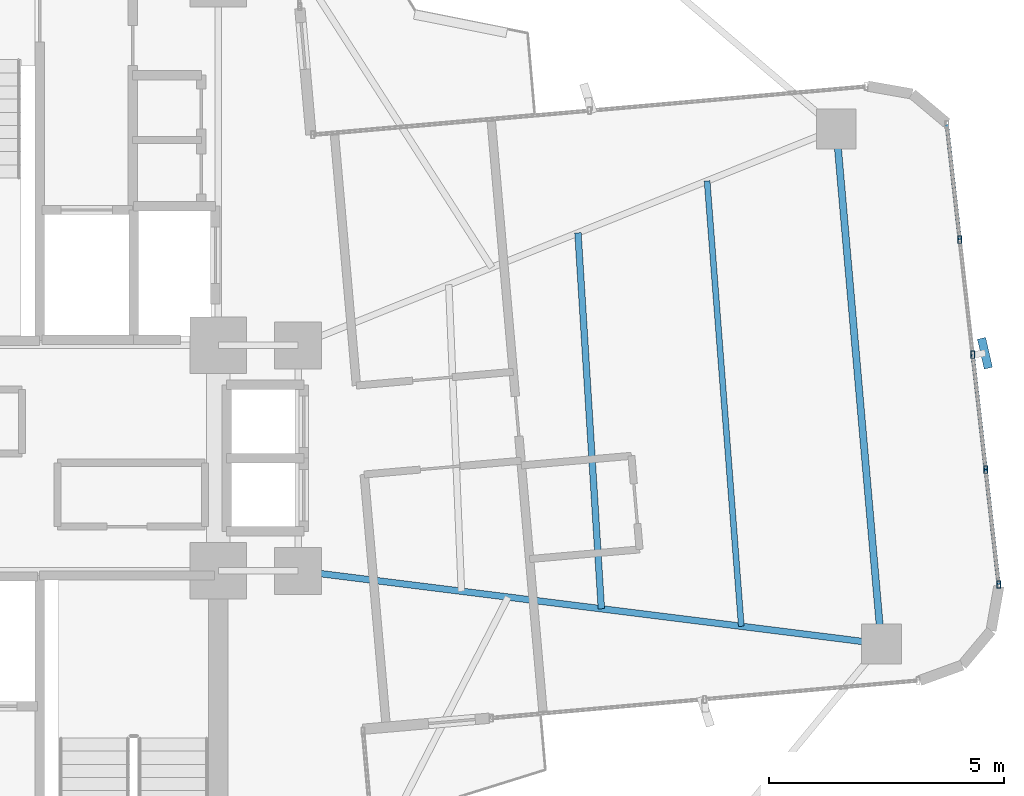
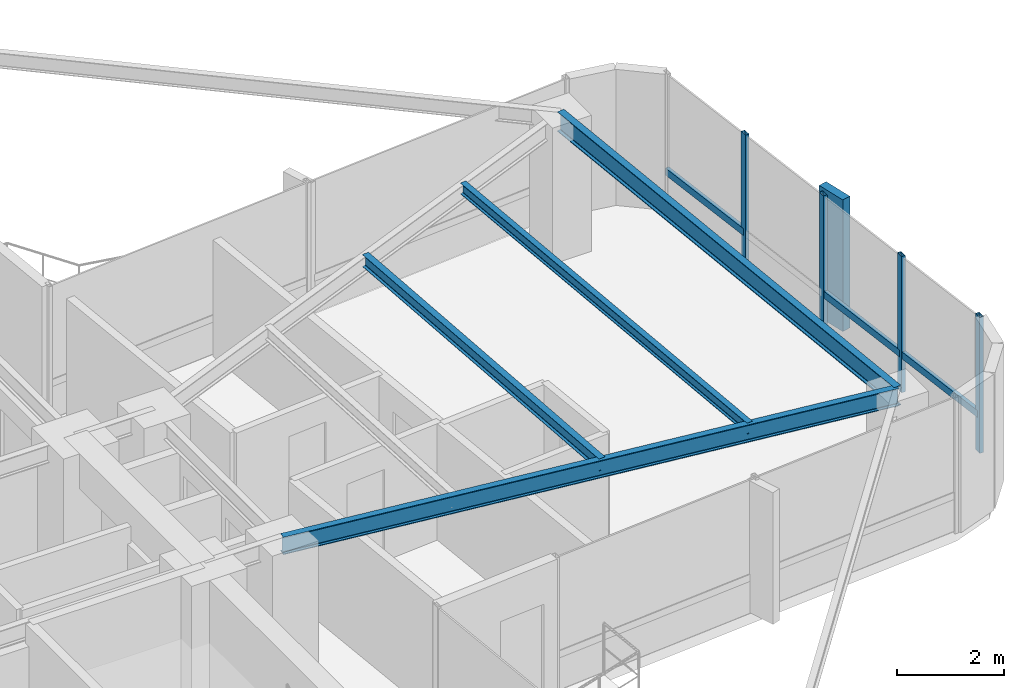
# One storey, part 14 of 24: 8 members, 4 beams, 1 element without a shape of its own.
"""IFC4 building model written with IfcOpenShell, lengths in metres."""

from ifc_helpers import new_model, si_unit, direction, frame, origin, origin_2d, place, context, subcontext, project, spatial, rectangle, hollow_rectangle, i_section, extrude, source, transform, mapped, material, material_profile, profile_set, type_object, element, aggregate, save


model = new_model("IFC4")

# Units and contexts
model_context = context("Model", 3, precision=1e-05, world=origin(), true_north=direction((0.0, 1.0)))
body_context = subcontext(model_context, "Body", "Model", "MODEL_VIEW")
ifc_project = project(units=[si_unit("LENGTHUNIT", "METRE"), si_unit("AREAUNIT", "SQUARE_METRE"), si_unit("VOLUMEUNIT", "CUBIC_METRE"), si_unit("PLANEANGLEUNIT", "RADIAN"), si_unit("MASSUNIT", "GRAM", prefix="KILO")], contexts=[model_context])

# Site, building, storey
site_placement = place(None, origin())
site = spatial("IfcSite", under=ifc_project, at=site_placement, CompositionType="ELEMENT")
building_placement = place(site_placement, origin())
building = spatial("IfcBuilding", under=site, at=building_placement, Name="Sahyath Konkavel Grand Hotel", CompositionType="ELEMENT")
storey_placement = place(building_placement, frame((0.0, 0.0, 195.300048828125)))
storey = spatial("IfcBuildingStorey", under=building, at=storey_placement, Name="L54", CompositionType="ELEMENT", Elevation=195.300048828125)

# Beams
ifc_material_1 = material(Name="Steel E350", Category="steel")
ifc_material_profile_1 = material_profile(ifc_material_1, i_section(OverallWidth=0.139892578125, OverallDepth=0.39990234375, WebThickness=0.0087890625, FlangeThickness=0.01611328125, FilletRadius=0.013916015625, at=origin_2d()), Name="ISMB 400")
ifc_profile_set_1 = profile_set([ifc_material_profile_1], Name="Steel E350")
beam_type_1 = type_object("IfcBeamType", Name="BM-ISMB400", PredefinedType="BEAM", material=ifc_profile_set_1)
shared_shape_1 = source(origin(), body_context, "Body", "SweptSolid", [
    extrude(i_section(OverallWidth=0.139892578125, OverallDepth=0.39990234375, WebThickness=0.0087890625, FlangeThickness=0.01611328125, FilletRadius=0.013916015625, at=origin_2d()), origin(), (0.0, 0.0, 1.0), 12.509765625),
])
beam_1_placement = place(storey_placement, frame((5.5, -2.39990234375, 2.909912109375), z_axis=(0.992254740459, -0.124219684578, 0.0), x_axis=(0.124219684578, 0.992254740459, 0.0)))
element("IfcBeam", 1, at=beam_1_placement, inside=storey, type_object=beam_type_1, Name="L54 Cruciform Radial Girder EA", PredefinedType="BEAM", context=body_context, shape_type="MappedRepresentation", body=[
    mapped(shared_shape_1, transform((0.0, 0.0, 0.0), scale=1.0)),
])
ifc_material_profile_2 = material_profile(ifc_material_1, i_section(OverallWidth=0.14990234375, OverallDepth=0.449951171875, WebThickness=0.009521484375, FlangeThickness=0.017333984375, FilletRadius=0.014892578125, at=origin_2d()), Name="ISMB 450")
ifc_profile_set_2 = profile_set([ifc_material_profile_2], Name="Steel E350")
beam_type_2 = type_object("IfcBeamType", Name="BM-ISMB450", PredefinedType="BEAM", material=ifc_profile_set_2)
shared_shape_2 = source(origin(), body_context, "Body", "SweptSolid", [
    extrude(i_section(OverallWidth=0.14990234375, OverallDepth=0.449951171875, WebThickness=0.009521484375, FlangeThickness=0.017333984375, FilletRadius=0.014892578125, at=origin_2d()), origin(), (0.0, 0.0, 1.0), 11.0),
])
beam_2_placement = place(storey_placement, frame((17.912841796875, -3.953857421875, 2.885009765625), z_axis=(-0.087157314015, 0.996194560622, 0.0), x_axis=(-0.996194560622, -0.087157314015, 0.0)))
element("IfcBeam", 2, at=beam_2_placement, inside=storey, type_object=beam_type_2, Name="L54 Wing Tip Edge Beam E", PredefinedType="BEAM", context=body_context, shape_type="MappedRepresentation", body=[
    mapped(shared_shape_2, transform((0.0, 0.0, 0.0), scale=1.0)),
])
ifc_material_profile_3 = material_profile(ifc_material_1, i_section(OverallWidth=0.139892578125, OverallDepth=0.27490234375, WebThickness=0.00634765625, FlangeThickness=0.0087890625, FilletRadius=0.012939453125, at=origin_2d()), Name="ISLB 275")
ifc_profile_set_3 = profile_set([ifc_material_profile_3], Name="Steel E350")
beam_type_3 = type_object("IfcBeamType", Name="BM-ISLB275", PredefinedType="BEAM", material=ifc_profile_set_3)
shared_shape_3 = source(origin(), body_context, "Body", "SweptSolid", [
    extrude(i_section(OverallWidth=0.139892578125, OverallDepth=0.27490234375, WebThickness=0.00634765625, FlangeThickness=0.0087890625, FilletRadius=0.012939453125, at=origin_2d()), origin(), (0.0, 0.0, 1.0), 8.017822265625),
])
beam_3_placement = place(storey_placement, frame((11.95458984375, -3.2080078125, 2.972412109375), z_axis=(-0.062179233264, 0.998064999362, 0.0), x_axis=(-0.998064999362, -0.062179233264, 0.0)))
element("IfcBeam", 3, at=beam_3_placement, inside=storey, type_object=beam_type_3, Name="L54 Secondary Floor Beam E-2", PredefinedType="BEAM", context=body_context, shape_type="MappedRepresentation", body=[
    mapped(shared_shape_3, transform((0.0, 0.0, 0.0), scale=1.0)),
])
ifc_material_profile_4 = material_profile(ifc_material_1, i_section(OverallWidth=0.125, OverallDepth=0.25, WebThickness=0.0068359375, FlangeThickness=0.012451171875, FilletRadius=0.012939453125, at=origin_2d()), Name="ISMB 250")
ifc_profile_set_4 = profile_set([ifc_material_profile_4], Name="Steel E350")
beam_type_4 = type_object("IfcBeamType", Name="BM-ISMB250", PredefinedType="BEAM", material=ifc_profile_set_4)
shared_shape_4 = source(origin(), body_context, "Body", "SweptSolid", [
    extrude(i_section(OverallWidth=0.125, OverallDepth=0.25, WebThickness=0.0068359375, FlangeThickness=0.012451171875, FilletRadius=0.012939453125, at=origin_2d()), origin(), (0.0, 0.0, 1.0), 9.508056640625),
])
beam_4_placement = place(storey_placement, frame((14.93359375, -3.580810546875, 2.98486328125), z_axis=(-0.076619921029, 0.997060373148, 0.0), x_axis=(-0.997060373148, -0.076619921029, 0.0)))
element("IfcBeam", 4, at=beam_4_placement, inside=storey, type_object=beam_type_4, Name="L54 Secondary Floor Beam E-3", PredefinedType="BEAM", context=body_context, shape_type="MappedRepresentation", body=[
    mapped(shared_shape_4, transform((0.0, 0.0, 0.0), scale=1.0)),
])

# Curtain wall, members
ifc_material_2 = material(Name="Anodised Bronze Aluminium & Low-E Glazing", Category="aluminium")
curtain_wall_type = type_object("IfcCurtainWallType", Name="CW-ZONE3", PredefinedType="NOTDEFINED", material=ifc_material_2)
curtain_wall_placement = place(storey_placement, origin())
curtain_wall = element("IfcCurtainWall", 5, at=curtain_wall_placement, inside=storey, type_object=curtain_wall_type, Name="L54 Unitised Curtain Wall F4", PredefinedType="NOTDEFINED")
ifc_material_3 = material(Name="Anodised Bronze Aluminium", Category="aluminium")
ifc_material_profile_5 = material_profile(ifc_material_3, hollow_rectangle(XDim=0.080078125, YDim=0.159912109375, WallThickness=0.006103515625, at=origin_2d()), Name="RHS 160x80x6")
ifc_profile_set_5 = profile_set([ifc_material_profile_5], Name="Anodised Bronze Aluminium")
member_type_1 = type_object("IfcMemberType", Name="CW-MUL-160", PredefinedType="MULLION", material=ifc_profile_set_5)
shared_shape_5 = source(origin(), body_context, "Body", "SweptSolid", [
    extrude(hollow_rectangle(XDim=0.080078125, YDim=0.159912109375, WallThickness=0.006103515625, at=origin_2d()), origin(), (0.0, 0.0, 1.0), 3.10986328125),
])
member_1_placement = place(storey_placement, frame((20.4111328125, -2.69140625, 0.0), z_axis=(0.0, 0.0, 1.0), x_axis=(1.0, 0.0, 0.0)))
member_1 = element("IfcMember", 6, at=member_1_placement, type_object=member_type_1, Name="L54 Curtain Wall Mullion F4-0", PredefinedType="MULLION", context=body_context, shape_type="MappedRepresentation", body=[
    mapped(shared_shape_5, transform((0.0, 0.0, 0.0), scale=1.0)),
])
member_2_placement = place(storey_placement, frame((20.135498046875, -0.24462890625, 0.0), z_axis=(0.0, 0.0, 1.0), x_axis=(1.0, 0.0, 0.0)))
member_2 = element("IfcMember", 7, at=member_2_placement, type_object=member_type_1, Name="L54 Curtain Wall Mullion F4-1", PredefinedType="MULLION", context=body_context, shape_type="MappedRepresentation", body=[
    mapped(shared_shape_5, transform((0.0, 0.0, 0.0), scale=1.0)),
])
member_3_placement = place(storey_placement, frame((19.859619140625, 2.201904296875, 0.0), z_axis=(0.0, 0.0, 1.0), x_axis=(1.0, 0.0, 0.0)))
member_3 = element("IfcMember", 8, at=member_3_placement, type_object=member_type_1, Name="L54 Curtain Wall Mullion F4-2", PredefinedType="MULLION", context=body_context, shape_type="MappedRepresentation", body=[
    mapped(shared_shape_5, transform((0.0, 0.0, 0.0), scale=1.0)),
])
member_4_placement = place(storey_placement, frame((19.583984375, 4.648193359375, 0.0), z_axis=(0.0, 0.0, 1.0), x_axis=(1.0, 0.0, 0.0)))
member_4 = element("IfcMember", 9, at=member_4_placement, type_object=member_type_1, Name="L54 Curtain Wall Mullion F4-3", PredefinedType="MULLION", context=body_context, shape_type="MappedRepresentation", body=[
    mapped(shared_shape_5, transform((0.0, 0.0, 0.0), scale=1.0)),
])
ifc_material_4 = material(Name="Warm Buff Sandstone Cladding on Concrete C50/60", Category="masonry")
ifc_material_profile_6 = material_profile(ifc_material_4, rectangle(XDim=0.179931640625, YDim=0.64990234375, at=origin_2d()), Name="FIN 180x650")
ifc_profile_set_6 = profile_set([ifc_material_profile_6], Name="Warm Buff Sandstone Cladding on Concrete C50/60")
member_type_2 = type_object("IfcMemberType", Name="FIN-SANDSTONE-650", PredefinedType="MULLION", material=ifc_profile_set_6)
shared_shape_6 = source(origin(), body_context, "Body", "SweptSolid", [
    extrude(rectangle(XDim=0.179931640625, YDim=0.64990234375, at=origin_2d()), origin(), (0.0, 0.0, 1.0), 3.010009765625),
])
member_5_placement = place(storey_placement, frame((20.1181640625, 2.23095703125, 0.050048828125), z_axis=(0.0, 0.0, 1.0), x_axis=(0.974644167091, 0.223760469153, 0.0)))
member_5 = element("IfcMember", 10, at=member_5_placement, type_object=member_type_2, Name="L54 Sandstone Vertical Solar Fin FIN F4-2", PredefinedType="MULLION", context=body_context, shape_type="MappedRepresentation", body=[
    mapped(shared_shape_6, transform((0.0, 0.0, 0.0), scale=1.0)),
])
ifc_material_profile_7 = material_profile(ifc_material_3, hollow_rectangle(XDim=0.080078125, YDim=0.159912109375, WallThickness=0.006103515625, at=origin_2d()), Name="RHS 160x80x6")
ifc_profile_set_7 = profile_set([ifc_material_profile_7], Name="Anodised Bronze Aluminium")
member_type_3 = type_object("IfcMemberType", Name="CW-TRN-160", PredefinedType="USERDEFINED", material=ifc_profile_set_7)
shared_shape_7 = source(origin(), body_context, "Body", "SweptSolid", [
    extrude(hollow_rectangle(XDim=0.080078125, YDim=0.159912109375, WallThickness=0.006103515625, at=origin_2d()), origin(), (0.0, 0.0, 1.0), 2.462158203125),
])
member_6_placement = place(storey_placement, frame((20.4111328125, -2.69140625, 0.849853515625), z_axis=(-0.11194409079, 0.993714506555, 0.0), x_axis=(-0.993714506555, -0.11194409079, 0.0)))
member_6 = element("IfcMember", 11, at=member_6_placement, type_object=member_type_3, Name="L54 Curtain Wall Transom F4-0-spandrel", ObjectType="TRANSOM", PredefinedType="USERDEFINED", context=body_context, shape_type="MappedRepresentation", body=[
    mapped(shared_shape_7, transform((0.0, 0.0, 0.0), scale=1.0)),
])
member_7_placement = place(storey_placement, frame((20.135498046875, -0.24462890625, 0.849853515625), z_axis=(-0.112053040279, 0.99370222711, 0.0), x_axis=(-0.99370222711, -0.112053040279, 0.0)))
member_7 = element("IfcMember", 12, at=member_7_placement, type_object=member_type_3, Name="L54 Curtain Wall Transom F4-1-spandrel", ObjectType="TRANSOM", PredefinedType="USERDEFINED", context=body_context, shape_type="MappedRepresentation", body=[
    mapped(shared_shape_7, transform((0.0, 0.0, 0.0), scale=1.0)),
])
member_8_placement = place(storey_placement, frame((19.583984375, 4.648193359375, 0.849853515625), z_axis=(-0.11194409079, 0.993714506555, 0.0), x_axis=(-0.993714506555, -0.11194409079, 0.0)))
member_8 = element("IfcMember", 13, at=member_8_placement, type_object=member_type_3, Name="L54 Curtain Wall Transom F4-3-spandrel", ObjectType="TRANSOM", PredefinedType="USERDEFINED", context=body_context, shape_type="MappedRepresentation", body=[
    mapped(shared_shape_7, transform((0.0, 0.0, 0.0), scale=1.0)),
])
aggregate(curtain_wall, [member_1, member_2, member_3, member_5, member_4, member_6, member_7, member_8])

save(model, "model.ifc")
